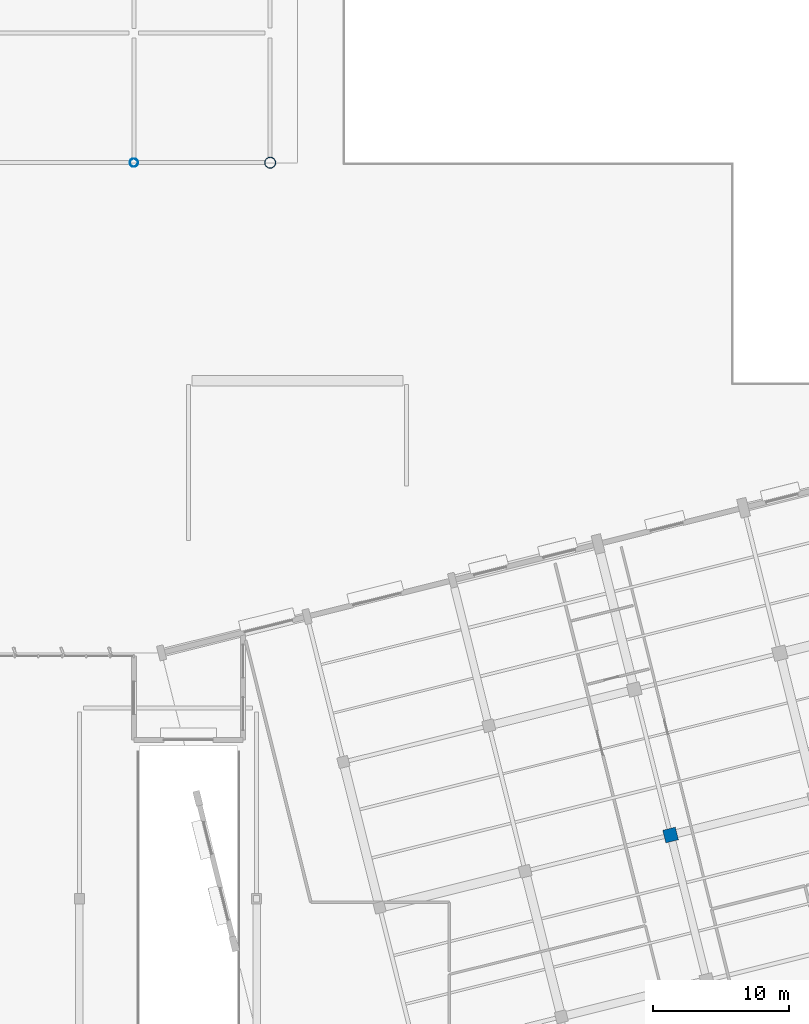
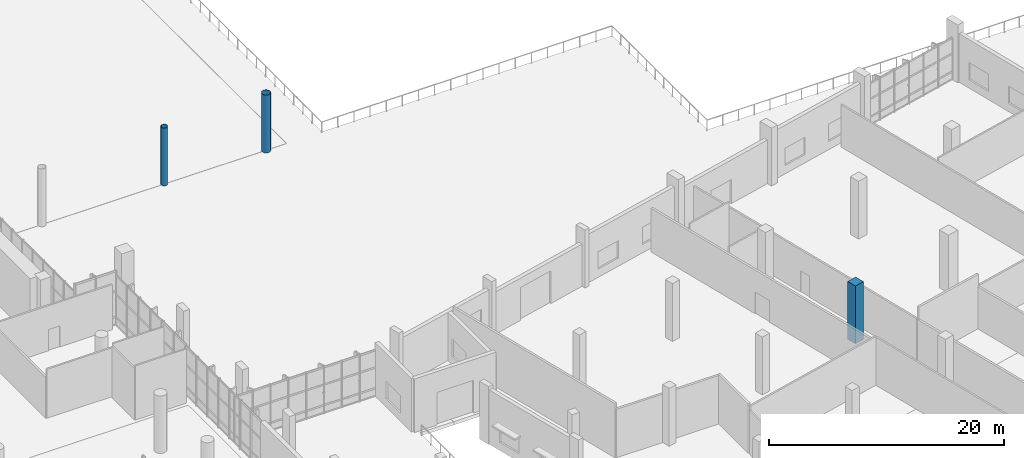
# One storey, part 20 of 163: 3 columns.
"""IFC4 building model written with IfcOpenShell, lengths in metres."""

import ifcopenshell
import ifcopenshell.guid

model = None  # the IFC model being written
_history = None  # IfcOwnerHistory: only IFC2X3 demands one
_inside = {}  # id of a spatial element -> (the spatial element, [elements in it])
_under = {}  # id of a project, library or spatial element -> (it, [spatial elements below it])
_declared = {}  # id of a project -> (the project, [libraries it declares])
_typed = {}  # id of a type object -> (the type object, [elements of that type])
_made_of = {}  # id of a material, layer set ... -> (it, [elements and type objects made of it])


def new_model(schema):
    """Start an empty IFC model of exactly this schema.

    Asked for "IFC4X3", IfcOpenShell would pick the latest addendum, in which some entities
    have other attributes; the version numbers below select the first issue.
    IFC2X3 requires an IfcOwnerHistory on every rooted entity: one is made here for all.
    """
    global model, _history
    if schema == "IFC4X3":
        model = ifcopenshell.file(schema_version=(4, 3, 0, 0))
    else:
        model = ifcopenshell.file(schema=schema)
    _inside.clear()
    _under.clear()
    _declared.clear()
    _typed.clear()
    _made_of.clear()
    _history = None
    if model.schema == "IFC2X3":
        org = make("IfcOrganization", Name="unknown")
        user = make(
            "IfcPersonAndOrganization",
            ThePerson=make("IfcPerson", FamilyName="unknown"),
            TheOrganization=org,
        )
        app = make(
            "IfcApplication",
            ApplicationDeveloper=org,
            Version="unknown",
            ApplicationFullName="unknown",
            ApplicationIdentifier="unknown",
        )
        _history = make(
            "IfcOwnerHistory",
            OwningUser=user,
            OwningApplication=app,
            ChangeAction="ADDED",
            CreationDate=0,
        )
    return model


def make(cls, **values):
    """One entity of the class cls with the attributes given. An attribute that is None is left unset."""
    return model.create_entity(
        cls, **{name: value for name, value in values.items() if value is not None}
    )


def rooted(cls, **values):
    """An entity with a GlobalId (a new one), such as an element, a storey or a relation."""
    return make(cls, GlobalId=ifcopenshell.guid.new(), OwnerHistory=_history, **values)


def si_unit(unit_type, name, prefix=None):
    """IfcSIUnit, for example si_unit("LENGTHUNIT", "METRE", prefix="MILLI")."""
    return make("IfcSIUnit", UnitType=unit_type, Prefix=prefix, Name=name)


def assignment(units):
    """IfcUnitAssignment: the units of a project."""
    return None if units is None else make("IfcUnitAssignment", Units=units)


def point(xyz):
    """IfcCartesianPoint."""
    return None if xyz is None else make("IfcCartesianPoint", Coordinates=xyz)


def direction(xyz):
    """IfcDirection."""
    return None if xyz is None else make("IfcDirection", DirectionRatios=xyz)


def frame(location, z_axis=None, x_axis=None):
    """IfcAxis2Placement3D, a coordinate frame: its origin and axes. An axis left out is left unset."""
    return make(
        "IfcAxis2Placement3D",
        Location=point(location),
        Axis=direction(z_axis),
        RefDirection=direction(x_axis),
    )


def frame_2d(location, x_axis=None):
    """IfcAxis2Placement2D, a coordinate frame in the plane: its origin and x axis."""
    return make(
        "IfcAxis2Placement2D", Location=point(location), RefDirection=direction(x_axis)
    )


def origin():
    """The frame at (0, 0, 0) with its axes left unset."""
    return frame((0.0, 0.0, 0.0))


def origin_2d():
    """The frame at (0, 0) in the plane with its x axis left unset."""
    return frame_2d((0.0, 0.0))


def place(relative_to, where):
    """IfcLocalPlacement: puts the frame where relative to a parent placement (None: the world)."""
    return make(
        "IfcLocalPlacement", PlacementRelTo=relative_to, RelativePlacement=where
    )


def context(
    kind, dimensions, precision=None, world=None, true_north=None, identifier=None
):
    """IfcGeometricRepresentationContext, for example the 3D "Model" context."""
    return make(
        "IfcGeometricRepresentationContext",
        ContextIdentifier=identifier,
        ContextType=kind,
        CoordinateSpaceDimension=dimensions,
        Precision=precision,
        WorldCoordinateSystem=world,
        TrueNorth=true_north,
    )


def subcontext(parent, identifier, kind, view, scale=None):
    """IfcGeometricRepresentationSubContext, for example "Body" below "Model"."""
    return make(
        "IfcGeometricRepresentationSubContext",
        ContextIdentifier=identifier,
        ContextType=kind,
        ParentContext=parent,
        TargetScale=scale,
        TargetView=view,
    )


def project(units=None, contexts=None):
    """IfcProject with its units and contexts."""
    return rooted(
        "IfcProject",
        Name="project",
        RepresentationContexts=contexts,
        UnitsInContext=assignment(units),
    )


def spatial(cls, under=None, at=None, **own):
    """A site, building, storey or space (cls), placed at a placement, below another one or the project."""
    s = rooted(cls, ObjectPlacement=at, **own)
    if under is not None:
        _under.setdefault(under.id(), (under, []))[1].append(s)
    return s


def profile(cls, at=None, kind="AREA", **sizes):
    """A parametric profile (cls). Its sizes go by their IFC names, for example OverallWidth=200.0."""
    return make(cls, ProfileType=kind, Position=at, **sizes)


def rectangle(**sizes):
    """IfcRectangleProfileDef."""
    return profile("IfcRectangleProfileDef", **sizes)


def hollow_circle(**sizes):
    """IfcCircleHollowProfileDef."""
    return profile("IfcCircleHollowProfileDef", **sizes)


def extrude(swept, where, along, depth):
    """IfcExtrudedAreaSolid: the profile swept, set in the frame where, extruded along a direction by depth."""
    return make(
        "IfcExtrudedAreaSolid",
        SweptArea=swept,
        Position=where,
        ExtrudedDirection=direction(along),
        Depth=depth,
    )


def shape(context_of_items, identifier, shape_type, items):
    """IfcShapeRepresentation: the items that make up one representation, for example the "Body"."""
    return make(
        "IfcShapeRepresentation",
        ContextOfItems=context_of_items,
        RepresentationIdentifier=identifier,
        RepresentationType=shape_type,
        Items=items,
    )


def material(Name=None, Category=None):
    """IfcMaterial."""
    return make("IfcMaterial", Name=Name, Category=Category)


def material_profile(
    of_material, cross_section, Name=None, Category=None, Priority=None
):
    """IfcMaterialProfile: a cross section and its material."""
    return make(
        "IfcMaterialProfile",
        Name=Name,
        Material=of_material,
        Profile=cross_section,
        Priority=Priority,
        Category=Category,
    )


def profile_set(profiles, Name=None, composite=None):
    """IfcMaterialProfileSet."""
    return make(
        "IfcMaterialProfileSet",
        Name=Name,
        MaterialProfiles=profiles,
        CompositeProfile=composite,
    )


def made_of(thing, what):
    """Note that an element or type object is made of a material, layer set ...; save() writes the relation."""
    if what is not None:
        _made_of.setdefault(what.id(), (what, []))[1].append(thing)
    return thing


def type_object(cls, material=None, **own):
    """A type object (cls), such as IfcWallType, which elements share."""
    return made_of(rooted(cls, **own), material)


def element(
    cls,
    number,
    at=None,
    inside=None,
    cuts=None,
    type_object=None,
    material=None,
    context=None,
    identifier="Body",
    shape_type=None,
    held_by="IfcProductDefinitionShape",
    body=None,
    shapes=None,
    **own,
):
    """One element of the class cls, such as IfcWall. Its Tag is "e" and its number.

    at: its placement. inside: the storey or other place that contains it. cuts: it is an
    opening in that element (IfcRelVoidsElement). A single representation is given by context,
    identifier, shape_type and body (its items); several are given by shapes. held_by: the class
    of the entity that holds the representations. save() writes the other relations.
    """
    e = rooted(cls, Tag="e%d" % number, ObjectPlacement=at, **own)
    if body is not None:
        shapes = [shape(context, identifier, shape_type, body)]
    if shapes is not None:
        e.Representation = make(held_by, Representations=shapes)
    if inside is not None:
        _inside.setdefault(inside.id(), (inside, []))[1].append(e)
    if cuts is not None:
        rooted(
            "IfcRelVoidsElement", RelatingBuildingElement=cuts, RelatedOpeningElement=e
        )
    if type_object is not None:
        _typed.setdefault(type_object.id(), (type_object, []))[1].append(e)
    return made_of(e, material)


def aggregate(whole, parts):
    """IfcRelAggregates: a whole, such as a stair, and the parts it consists of."""
    return rooted("IfcRelAggregates", RelatingObject=whole, RelatedObjects=parts)


def save(model, path):
    """Write the relations noted so far, then the file.

    IfcRelAggregates (storeys below a building ...), IfcRelContainedInSpatialStructure (elements
    in a storey), IfcRelDefinesByType, IfcRelAssociatesMaterial and IfcRelDeclares: one each for
    every whole, place, type object, material and project.
    """
    for whole, parts in _under.values():
        aggregate(whole, parts)
    for where, things in _inside.values():
        rooted(
            "IfcRelContainedInSpatialStructure",
            RelatedElements=things,
            RelatingStructure=where,
        )
    for kind, things in _typed.values():
        rooted("IfcRelDefinesByType", RelatedObjects=things, RelatingType=kind)
    for what, things in _made_of.values():
        rooted("IfcRelAssociatesMaterial", RelatedObjects=things, RelatingMaterial=what)
    for by, libraries in _declared.values():
        rooted("IfcRelDeclares", RelatingContext=by, RelatedDefinitions=libraries)
    model.write(path)


model = new_model("IFC4")

# Units and contexts
model_context = context("Model", 3, precision=1e-05, world=origin(), true_north=direction((0.0, 1.0)))
body_context = subcontext(model_context, "Body", "Model", "MODEL_VIEW")
ifc_project = project(units=[si_unit("LENGTHUNIT", "METRE"), si_unit("AREAUNIT", "SQUARE_METRE"), si_unit("VOLUMEUNIT", "CUBIC_METRE"), si_unit("PLANEANGLEUNIT", "RADIAN"), si_unit("MASSUNIT", "GRAM", prefix="KILO")], contexts=[model_context])

# Site, building, storey
site_placement = place(None, origin())
site = spatial("IfcSite", under=ifc_project, at=site_placement, CompositionType="ELEMENT")
building_placement = place(site_placement, origin())
building = spatial("IfcBuilding", under=site, at=building_placement, Name="Khorjan Park Terminus", CompositionType="ELEMENT")
storey_placement = place(building_placement, origin())
storey = spatial("IfcBuildingStorey", under=building, at=storey_placement, Name="L00", CompositionType="ELEMENT", Elevation=0.0)

# Columns
ifc_material_1 = material(Name="Concrete C50/60", Category="concrete")
ifc_material_profile_1 = material_profile(ifc_material_1, rectangle(XDim=0.95, YDim=0.95, at=origin_2d()), Name="RC 950x950")
ifc_profile_set_1 = profile_set([ifc_material_profile_1], Name="Concrete C50/60")
column_type_1 = type_object("IfcColumnType", Name="COL-RC950", PredefinedType="COLUMN", material=ifc_profile_set_1)
column_1_placement = place(storey_placement, frame((187.375, 52.676, 0.0), z_axis=(0.0, 0.0, 1.0), x_axis=(0.970295726276, 0.2419218956, 0.0)))
element("IfcColumn", 1, at=column_1_placement, inside=storey, type_object=column_type_1, Name="Structural column C-RC95 (L00 #776)", PredefinedType="COLUMN", context=body_context, shape_type="SweptSolid", body=[
    extrude(rectangle(XDim=0.95, YDim=0.95, at=origin_2d()), origin(), (0.0, 0.0, 1.0), 6.0),
])
ifc_material_2 = material(Name="Steel S355", Category="steel")
ifc_material_profile_2 = material_profile(ifc_material_2, hollow_circle(Radius=0.305, WallThickness=0.02, at=origin_2d()), Name="CHS 610x20")
ifc_profile_set_2 = profile_set([ifc_material_profile_2], Name="Steel S355")
column_type_2 = type_object("IfcColumnType", Name="COL-SH610E", PredefinedType="COLUMN", material=ifc_profile_set_2)
column_2_placement = place(storey_placement, frame((148.0, 102.0, 0.0), z_axis=(0.0, 0.0, 1.0), x_axis=(1.0, 0.0, 0.0)))
element("IfcColumn", 2, at=column_2_placement, inside=storey, type_object=column_type_2, Name="Structural column SC-61 (L00 #207)", PredefinedType="COLUMN", context=body_context, shape_type="SweptSolid", body=[
    extrude(hollow_circle(Radius=0.305, WallThickness=0.02, at=origin_2d()), origin(), (0.0, 0.0, 1.0), 6.0),
])
ifc_material_profile_3 = material_profile(ifc_material_2, hollow_circle(Radius=0.4065, WallThickness=0.025, at=origin_2d()), Name="CHS 813x25")
ifc_profile_set_3 = profile_set([ifc_material_profile_3], Name="Steel S355")
column_type_3 = type_object("IfcColumnType", Name="COL-SH813E", PredefinedType="COLUMN", material=ifc_profile_set_3)
column_3_placement = place(storey_placement, frame((158.0, 102.0, 0.0), z_axis=(0.0, 0.0, 1.0), x_axis=(1.0, 0.0, 0.0)))
element("IfcColumn", 3, at=column_3_placement, inside=storey, type_object=column_type_3, Name="Structural column SC-81 (L00 #219)", PredefinedType="COLUMN", context=body_context, shape_type="SweptSolid", body=[
    extrude(hollow_circle(Radius=0.4065, WallThickness=0.025, at=origin_2d()), origin(), (0.0, 0.0, 1.0), 6.0),
])

save(model, "model.ifc")
